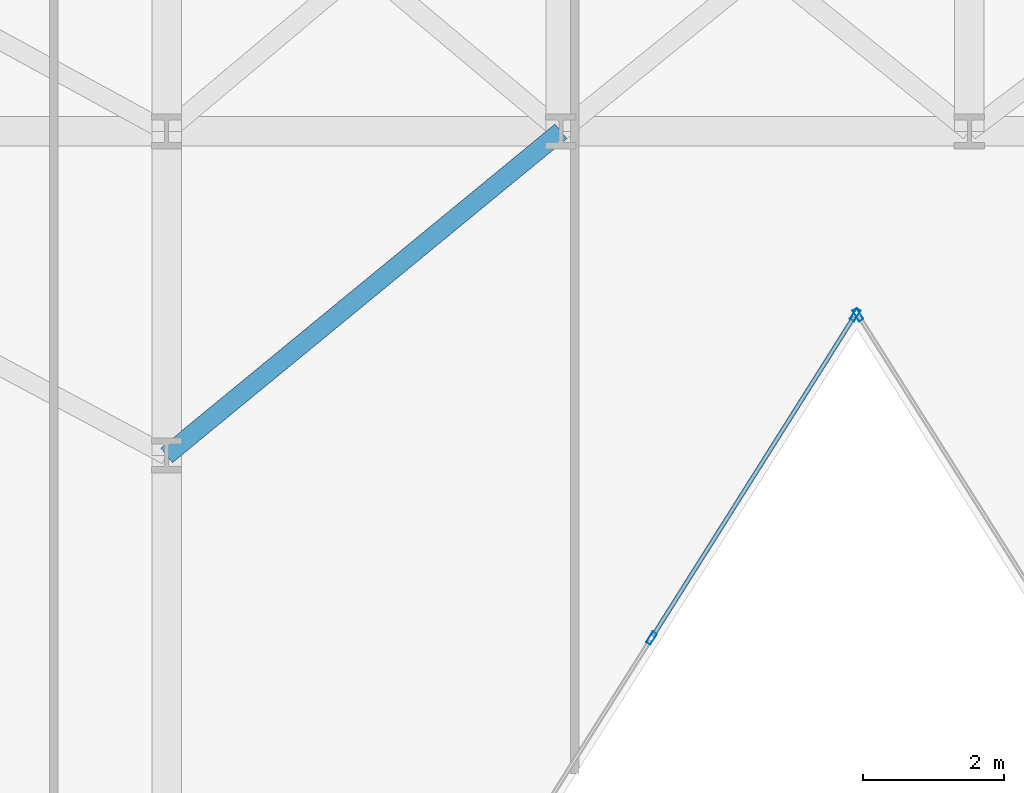
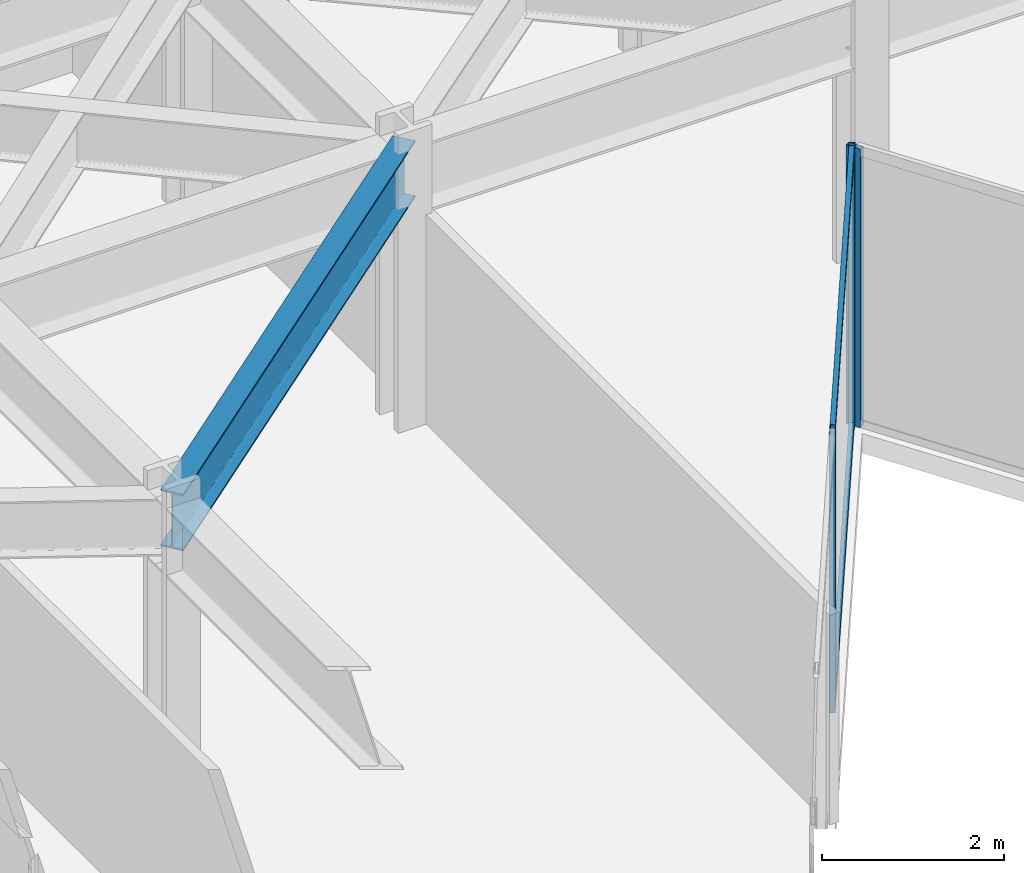
# One storey, part 10 of 24: 5 members, 1 beam, 2 elements without a shape of their own.
"""IFC4 building model written with IfcOpenShell, lengths in metres."""

from ifc_helpers import new_model, si_unit, direction, frame, origin, origin_2d, place, context, subcontext, project, spatial, hollow_rectangle, i_section, extrude, material, layer, layer_set, material_profile, profile_set, type_object, element, aggregate, save


model = new_model("IFC4")

# Units and contexts
model_context = context("Model", 3, precision=1e-05, world=origin(), true_north=direction((0.0, 1.0)))
body_context = subcontext(model_context, "Body", "Model", "MODEL_VIEW")
ifc_project = project(units=[si_unit("LENGTHUNIT", "METRE"), si_unit("AREAUNIT", "SQUARE_METRE"), si_unit("VOLUMEUNIT", "CUBIC_METRE"), si_unit("PLANEANGLEUNIT", "RADIAN"), si_unit("MASSUNIT", "GRAM", prefix="KILO")], contexts=[model_context])

# Site, building, storey
site_placement = place(None, origin())
site = spatial("IfcSite", under=ifc_project, at=site_placement, CompositionType="ELEMENT")
building_placement = place(site_placement, origin())
building = spatial("IfcBuilding", under=site, at=building_placement, Name="Kravanh Interchange Tower", CompositionType="ELEMENT")
storey_placement = place(building_placement, frame((0.0, 0.0, 61.5)))
storey = spatial("IfcBuildingStorey", under=building, at=storey_placement, Name="L14", CompositionType="ELEMENT", Elevation=61.5)

# Curtain wall, member
ifc_material_1 = material(Name="Anodised Bronze Aluminium", Category="aluminium")
ifc_layer = layer(ifc_material_1, 0.179931640625)
ifc_layer_set = layer_set([ifc_layer], Name="Unitised Curtain Wall System CW-Z1 Lower Office")
curtain_wall_type = type_object("IfcCurtainWallType", Name="Unitised Curtain Wall System CW-Z1 Lower Office", PredefinedType="NOTDEFINED", material=ifc_layer_set)
curtain_wall_1_placement = place(storey_placement, origin())
curtain_wall_1 = element("IfcCurtainWall", 1, at=curtain_wall_1_placement, inside=storey, type_object=curtain_wall_type, Name="L14 Unitised Curtain Wall CW-L14-04", PredefinedType="NOTDEFINED")
ifc_material_2 = material(Name="Anodised Bronze Aluminium", Category="aluminium")
ifc_material_profile_1 = material_profile(ifc_material_2, hollow_rectangle(XDim=0.070068359375, YDim=0.179931640625, WallThickness=0.00390625, at=origin_2d()), Name="ALU70X180X4")
ifc_profile_set_1 = profile_set([ifc_material_profile_1], Name="Anodised Bronze Aluminium")
member_type_1 = type_object("IfcMemberType", Name="Curtain Wall Mullion ALU70X180X4 Bronze", PredefinedType="MULLION", material=ifc_profile_set_1)
member_1_placement = place(storey_placement, frame((37.0185546875, 24.1953125, 0.0), z_axis=(0.0, 0.0, 1.0), x_axis=(-0.845925530786, -0.53330103728, 0.0)))
member_1 = element("IfcMember", 2, at=member_1_placement, type_object=member_type_1, Name="CW-Z1 mullion 6", PredefinedType="MULLION", context=body_context, shape_type="SweptSolid", body=[
    extrude(hollow_rectangle(XDim=0.070068359375, YDim=0.179931640625, WallThickness=0.00390625, at=origin_2d()), origin(), (0.0, 0.0, 1.0), 3.739990234375),
])
aggregate(curtain_wall_1, [member_1])

# Curtain wall, members
curtain_wall_2_placement = place(storey_placement, origin())
curtain_wall_2 = element("IfcCurtainWall", 3, at=curtain_wall_2_placement, inside=storey, type_object=curtain_wall_type, Name="L14 Unitised Curtain Wall CW-L14-05", PredefinedType="NOTDEFINED")
member_2_placement = place(storey_placement, frame((36.9814453125, 24.1953125, 0.0), z_axis=(0.0, 0.0, 1.0), x_axis=(0.845925530786, -0.53330103728, 0.0)))
member_2 = element("IfcMember", 4, at=member_2_placement, type_object=member_type_1, Name="CW-Z1 mullion 1", PredefinedType="MULLION", context=body_context, shape_type="SweptSolid", body=[
    extrude(hollow_rectangle(XDim=0.070068359375, YDim=0.179931640625, WallThickness=0.00390625, at=origin_2d()), origin(), (0.0, 0.0, 1.0), 3.739990234375),
])
member_3_placement = place(storey_placement, frame((34.086669921875, 19.60400390625, 0.0), z_axis=(0.0, 0.0, 1.0), x_axis=(0.845925530786, -0.53330103728, 0.0)))
member_3 = element("IfcMember", 5, at=member_3_placement, type_object=member_type_1, Name="CW-Z1 mullion 2", PredefinedType="MULLION", context=body_context, shape_type="SweptSolid", body=[
    extrude(hollow_rectangle(XDim=0.070068359375, YDim=0.179931640625, WallThickness=0.00390625, at=origin_2d()), origin(), (0.0, 0.0, 1.0), 3.739990234375),
])
ifc_material_3 = material(Name="Anodised Bronze Aluminium", Category="aluminium")
ifc_material_profile_2 = material_profile(ifc_material_3, hollow_rectangle(XDim=0.06005859375, YDim=0.139892578125, WallThickness=0.00390625, at=origin_2d()), Name="ALU60X140X4")
ifc_profile_set_2 = profile_set([ifc_material_profile_2], Name="Anodised Bronze Aluminium")
member_type_2 = type_object("IfcMemberType", Name="Curtain Wall Transom ALU60X140X4 Bronze", PredefinedType="USERDEFINED", material=ifc_profile_set_2)
member_4_placement = place(storey_placement, frame((36.962646484375, 24.165771484375, 0.030029296875), z_axis=(-0.533288163518, -0.845933646719, 0.0), x_axis=(0.845933646719, -0.533288163518, 0.0)))
member_4 = element("IfcMember", 6, at=member_4_placement, type_object=member_type_2, Name="CW-Z1 transom 1.1", ObjectType="TRANSOM", PredefinedType="USERDEFINED", context=body_context, shape_type="SweptSolid", body=[
    extrude(hollow_rectangle(XDim=0.06005859375, YDim=0.139892578125, WallThickness=0.00390625, at=origin_2d()), origin(), (0.0, 0.0, 1.0), 5.357666015625),
])
member_5_placement = place(storey_placement, frame((36.962646484375, 24.165771484375, 3.7099609375), z_axis=(-0.533288163518, -0.845933646719, 0.0), x_axis=(0.845933646719, -0.533288163518, 0.0)))
member_5 = element("IfcMember", 7, at=member_5_placement, type_object=member_type_2, Name="CW-Z1 transom 1.2", ObjectType="TRANSOM", PredefinedType="USERDEFINED", context=body_context, shape_type="SweptSolid", body=[
    extrude(hollow_rectangle(XDim=0.06005859375, YDim=0.139892578125, WallThickness=0.00390625, at=origin_2d()), origin(), (0.0, 0.0, 1.0), 5.357666015625),
])
aggregate(curtain_wall_2, [member_2, member_3, member_4, member_5])

# Beam
ifc_material_4 = material(Name="Structural Steel S355", Category="steel")
ifc_material_profile_3 = material_profile(ifc_material_4, i_section(OverallWidth=0.26708984375, OverallDepth=0.761962890625, WebThickness=0.014404296875, FlangeThickness=0.021484375, FilletRadius=0.02490234375, at=origin_2d()), Name="W30X116")
ifc_profile_set_3 = profile_set([ifc_material_profile_3], Name="Structural Steel S355")
beam_type = type_object("IfcBeamType", Name="Floor Spandrel W30X116 Structural Steel S355", PredefinedType="SPANDREL", material=ifc_profile_set_3)
beam_placement = place(storey_placement, frame((27.199951171875, 22.199951171875, 3.35888671875), z_axis=(0.772725074305, 0.634740860147, 0.0), x_axis=(-0.634740860147, 0.772725074305, 0.0)))
element("IfcBeam", 8, at=beam_placement, inside=storey, type_object=beam_type, Name="L14 Perimeter Spandrel 55", PredefinedType="SPANDREL", context=body_context, shape_type="SweptSolid", body=[
    extrude(i_section(OverallWidth=0.26708984375, OverallDepth=0.761962890625, WebThickness=0.014404296875, FlangeThickness=0.021484375, FilletRadius=0.02490234375, at=origin_2d()), origin(), (0.0, 0.0, 1.0), 7.247314453125),
])

save(model, "model.ifc")
